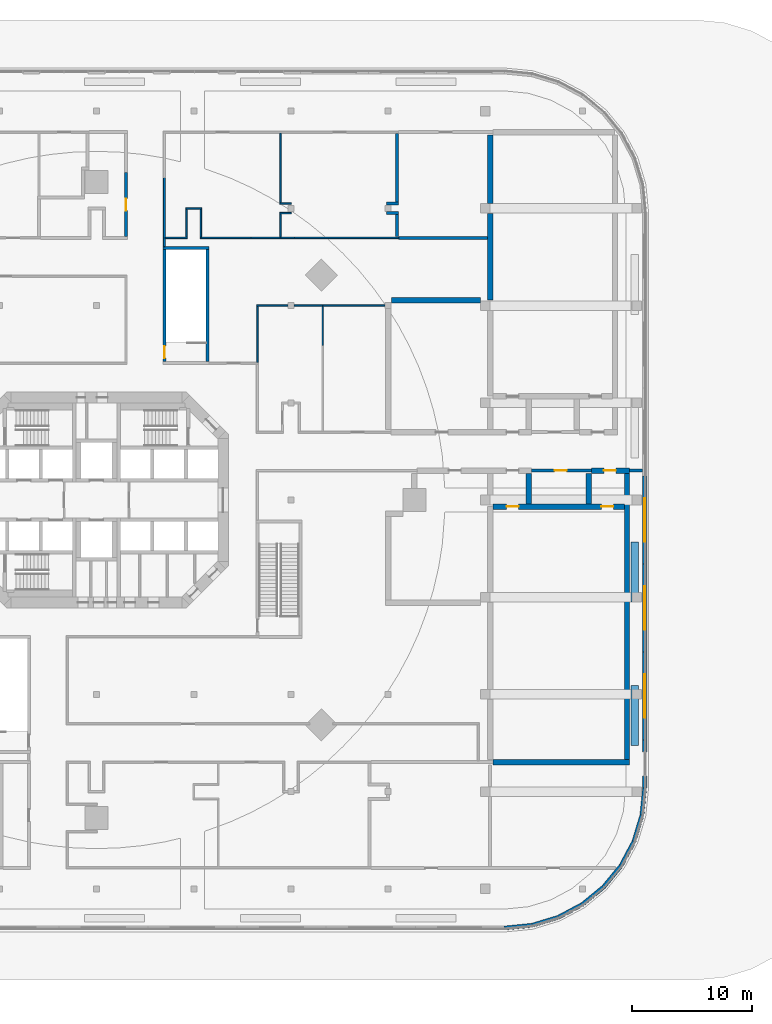
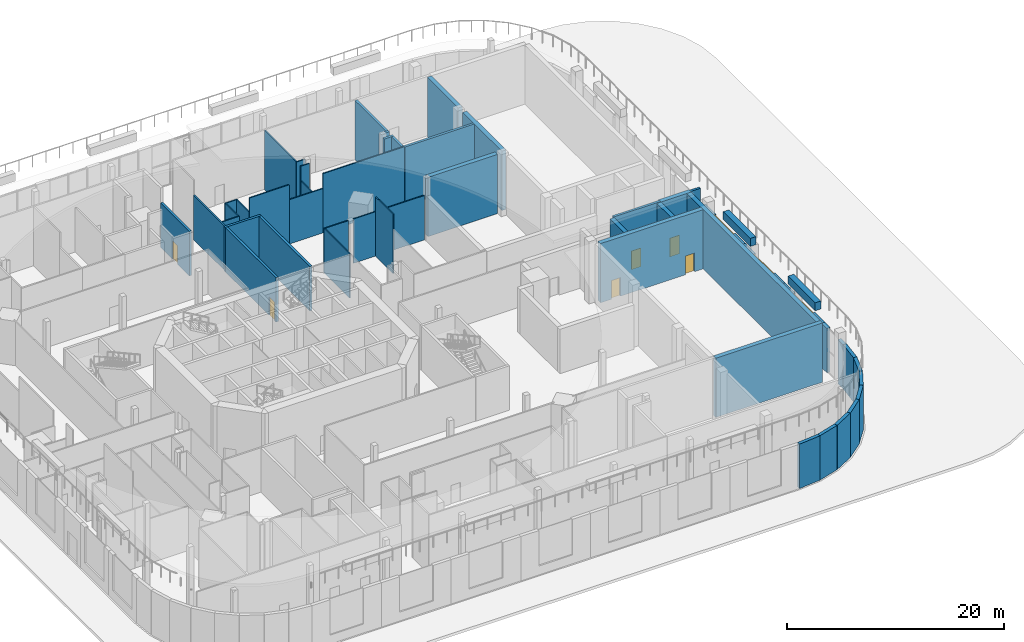
# One storey, part 12 of 17: 51 walls, 6 doors, 3 windows, 9 openings.
"""IFC4 building model written with IfcOpenShell, lengths in metres."""

from ifc_helpers import new_model, si_unit, direction, frame, frame_2d, origin, place, context, subcontext, project, spatial, rectangle, extrude, material, layer, layer_set, type_object, element, fill, save


model = new_model("IFC4")

# Units and contexts
model_context = context("Model", 3, precision=1e-05, world=origin(), true_north=direction((0.0, 1.0)))
body_context = subcontext(model_context, "Body", "Model", "MODEL_VIEW")
ifc_project = project(units=[si_unit("LENGTHUNIT", "METRE"), si_unit("AREAUNIT", "SQUARE_METRE"), si_unit("VOLUMEUNIT", "CUBIC_METRE"), si_unit("PLANEANGLEUNIT", "RADIAN"), si_unit("MASSUNIT", "GRAM", prefix="KILO")], contexts=[model_context])

# Site, building, storey
site_placement = place(None, origin())
site = spatial("IfcSite", under=ifc_project, at=site_placement, CompositionType="ELEMENT")
building_placement = place(site_placement, origin())
building = spatial("IfcBuilding", under=site, at=building_placement, Name="Torre Triforio", CompositionType="ELEMENT")
storey_placement = place(building_placement, frame((0.0, 0.0, 13.0)))
storey = spatial("IfcBuildingStorey", under=building, at=storey_placement, Name="L02", CompositionType="ELEMENT", Elevation=13.0)

# Walls
ifc_material_1 = material(Name="Plasterboard on metal studs")
ifc_layer_1 = layer(ifc_material_1, 0.14990234375)
ifc_layer_set_1 = layer_set([ifc_layer_1], Name="Plasterboard on metal studs")
wall_type_1 = type_object("IfcWallType", Name="Corridor wall 150 EI 60", PredefinedType="PARTITIONING", material=ifc_layer_set_1)
wall_1_placement = place(storey_placement, frame((5.64990234375, 21.125, 0.0), z_axis=(0.0, 0.0, 1.0), x_axis=(0.0, 1.0, 0.0)))
element("IfcWall", 1, at=wall_1_placement, inside=storey, type_object=wall_type_1, Name="Corridor wall L02 087", PredefinedType="PARTITIONING", context=body_context, shape_type="SweptSolid", body=[
    extrude(rectangle(XDim=5.74072265625, YDim=0.14990234375, at=frame_2d((2.870361328125, 0.0))), origin(), (0.0, 0.0, 1.0), 5.0),
])
ifc_layer_2 = layer(ifc_material_1, 0.1201171875)
ifc_layer_set_2 = layer_set([ifc_layer_2], Name="Plasterboard on metal studs")
wall_type_2 = type_object("IfcWallType", Name="Partition 120", PredefinedType="PARTITIONING", material=ifc_layer_set_2)
wall_2_placement = place(storey_placement, frame((18.85009765625, 12.892578125, 0.0), z_axis=(0.0, 0.0, 1.0), x_axis=(0.0, 1.0, 0.0)))
element("IfcWall", 2, at=wall_2_placement, inside=storey, type_object=wall_type_2, Name="Partition L02 020", PredefinedType="PARTITIONING", context=body_context, shape_type="SweptSolid", body=[
    extrude(rectangle(XDim=3.247314453125, YDim=0.1201171875, at=frame_2d((1.62353515625, 0.0))), origin(), (0.0, 0.0, 1.0), 6.679931640625),
])
for number, where, z_axis, x_axis, name in (
    (3, (15.286376953125, 23.89990234375, 0.0), (0.0, 0.0, 1.0), (1.0, 0.0, 0.0), "Partition L02 041"),
    (4, (15.286376953125, 24.699951171875, 0.0), (0.0, 0.0, 1.0), (1.0, 0.0, 0.0), "Partition L02 042"),
):
    element("IfcWall", number, at=place(storey_placement, frame(where, z_axis=z_axis, x_axis=x_axis)), inside=storey, type_object=wall_type_2, Name=name, PredefinedType="PARTITIONING", context=body_context, shape_type="SweptSolid", body=[
        extrude(rectangle(XDim=0.95361328125, YDim=0.1201171875, at=frame_2d((0.476806640625, 0.0))), origin(), (0.0, 0.0, 1.0), 6.679931640625),
    ])
wall_3_placement = place(storey_placement, frame((15.346435546875, 21.909912109375, 0.0), z_axis=(0.0, 0.0, 1.0), x_axis=(0.0, 1.0, 0.0)))
element("IfcWall", 5, at=wall_3_placement, inside=storey, type_object=wall_type_2, Name="Partition L02 043", PredefinedType="PARTITIONING", context=body_context, shape_type="SweptSolid", body=[
    extrude(rectangle(XDim=1.93017578125, YDim=0.1201171875, at=frame_2d((0.965087890625, 0.0))), origin(), (0.0, 0.0, 1.0), 5.0),
])
wall_4_placement = place(storey_placement, frame((15.346435546875, 24.760009765625, 0.0), z_axis=(0.0, 0.0, 1.0), x_axis=(0.0, 1.0, 0.0)))
element("IfcWall", 6, at=wall_4_placement, inside=storey, type_object=wall_type_2, Name="Partition L02 044", PredefinedType="PARTITIONING", context=body_context, shape_type="SweptSolid", body=[
    extrude(rectangle(XDim=5.81494140625, YDim=0.1201171875, at=frame_2d((2.907470703125, 0.0))), origin(), (0.0, 0.0, 1.0), 6.679931640625),
])
wall_5_placement = place(storey_placement, frame((5.72509765625, 21.85009765625, 0.0), z_axis=(0.0, 0.0, 1.0), x_axis=(1.0, 0.0, 0.0)))
element("IfcWall", 7, at=wall_5_placement, inside=storey, type_object=wall_type_2, Name="Partition L02 046", PredefinedType="PARTITIONING", context=body_context, shape_type="SweptSolid", body=[
    extrude(rectangle(XDim=1.8349609375, YDim=0.1201171875, at=frame_2d((0.91748046875, 0.0))), origin(), (0.0, 0.0, 1.0), 5.0),
])
wall_6_placement = place(storey_placement, frame((8.639892578125, 21.85009765625, 0.0), z_axis=(0.0, 0.0, 1.0), x_axis=(1.0, 0.0, 0.0)))
element("IfcWall", 8, at=wall_6_placement, inside=storey, type_object=wall_type_2, Name="Partition L02 047", PredefinedType="PARTITIONING", context=body_context, shape_type="SweptSolid", body=[
    extrude(rectangle(XDim=4.236328125, YDim=0.1201171875, at=frame_2d((2.1181640625, 0.0))), origin(), (0.0, 0.0, 1.0), 6.679931640625),
])
wall_7_placement = place(storey_placement, frame((12.876220703125, 21.85009765625, 0.0), z_axis=(0.0, 0.0, 1.0), x_axis=(1.0, 0.0, 0.0)))
element("IfcWall", 9, at=wall_7_placement, inside=storey, type_object=wall_type_2, Name="Partition L02 048", PredefinedType="PARTITIONING", context=body_context, shape_type="SweptSolid", body=[
    extrude(rectangle(XDim=3.61376953125, YDim=0.1201171875, at=frame_2d((1.806884765625, 0.0))), origin(), (0.0, 0.0, 1.0), 5.0),
])
wall_8_placement = place(storey_placement, frame((16.489990234375, 21.85009765625, 0.0), z_axis=(0.0, 0.0, 1.0), x_axis=(1.0, 0.0, 0.0)))
element("IfcWall", 10, at=wall_8_placement, inside=storey, type_object=wall_type_2, Name="Partition L02 049", PredefinedType="PARTITIONING", context=body_context, shape_type="SweptSolid", body=[
    extrude(rectangle(XDim=8.677978515625, YDim=0.1201171875, at=frame_2d((4.3388671875, 0.0))), origin(), (0.0, 0.0, 1.0), 6.679931640625),
])
wall_9_placement = place(storey_placement, frame((7.43994140625, 24.280029296875, 0.0), z_axis=(0.0, 0.0, 1.0), x_axis=(1.0, 0.0, 0.0)))
element("IfcWall", 11, at=wall_9_placement, inside=storey, type_object=wall_type_2, Name="Partition L02 050", PredefinedType="PARTITIONING", context=body_context, shape_type="SweptSolid", body=[
    extrude(rectangle(XDim=1.320068359375, YDim=0.1201171875, at=frame_2d((0.66015625, 0.0))), origin(), (0.0, 0.0, 1.0), 5.0),
])
for number, where, z_axis, x_axis, name in (
    (12, (7.5, 21.909912109375, 0.0), (0.0, 0.0, 1.0), (0.0, 1.0, 0.0), "Partition L02 051"),
    (13, (8.699951171875, 21.909912109375, 0.0), (0.0, 0.0, 1.0), (0.0, 1.0, 0.0), "Partition L02 052"),
):
    element("IfcWall", number, at=place(storey_placement, frame(where, z_axis=z_axis, x_axis=x_axis)), inside=storey, type_object=wall_type_2, Name=name, PredefinedType="PARTITIONING", context=body_context, shape_type="SweptSolid", body=[
        extrude(rectangle(XDim=2.31005859375, YDim=0.1201171875, at=frame_2d((1.155029296875, 0.0))), origin(), (0.0, 0.0, 1.0), 5.0),
    ])
wall_10_placement = place(storey_placement, frame((13.340087890625, 16.199951171875, 0.0), z_axis=(0.0, 0.0, 1.0), x_axis=(1.0, 0.0, 0.0)))
element("IfcWall", 14, at=wall_10_placement, inside=storey, type_object=wall_type_2, Name="Partition L02 062", PredefinedType="PARTITIONING", context=body_context, shape_type="SweptSolid", body=[
    extrude(rectangle(XDim=2.599853515625, YDim=0.1201171875, at=frame_2d((1.2998046875, 0.0))), origin(), (0.0, 0.0, 1.0), 5.0),
])
wall_11_placement = place(storey_placement, frame((16.4599609375, 16.199951171875, 0.0), z_axis=(0.0, 0.0, 1.0), x_axis=(1.0, 0.0, 0.0)))
element("IfcWall", 15, at=wall_11_placement, inside=storey, type_object=wall_type_2, Name="Partition L02 063", PredefinedType="PARTITIONING", context=body_context, shape_type="SweptSolid", body=[
    extrude(rectangle(XDim=7.580078125, YDim=0.1201171875, at=frame_2d((3.7900390625, 0.0))), origin(), (0.0, 0.0, 1.0), 5.0),
])
wall_12_placement = place(storey_placement, frame((13.39990234375, 11.47509765625, 0.0), z_axis=(0.0, 0.0, 1.0), x_axis=(0.0, 1.0, 0.0)))
element("IfcWall", 16, at=wall_12_placement, inside=storey, type_object=wall_type_2, Name="Partition L02 064", PredefinedType="PARTITIONING", context=body_context, shape_type="SweptSolid", body=[
    extrude(rectangle(XDim=4.664794921875, YDim=0.1201171875, at=frame_2d((2.33251953125, 0.0))), origin(), (0.0, 0.0, 1.0), 5.0),
])

# Wall, opening, door
ifc_material_2 = material(Name="Masonry block", Category="masonry")
ifc_layer_3 = layer(ifc_material_2, 0.25)
ifc_layer_set_3 = layer_set([ifc_layer_3], Name="Masonry block")
wall_type_3 = type_object("IfcWallType", Name="Plant room wall 250 EI 120", PredefinedType="PARTITIONING", material=ifc_layer_set_3)
wall_13_placement = place(storey_placement, frame((36.22509765625, 2.449951171875, 0.0), z_axis=(0.0, 0.0, 1.0), x_axis=(1.0, 0.0, 0.0)))
wall_13 = element("IfcWall", 17, at=wall_13_placement, inside=storey, type_object=wall_type_3, Name="Plant room wall L02 004", PredefinedType="PARTITIONING", context=body_context, shape_type="SweptSolid", body=[
    extrude(rectangle(XDim=5.0, YDim=0.25, at=frame_2d((2.5, 0.0))), origin(), (0.0, 0.0, 1.0), 6.679931640625),
])
opening_1_placement = place(wall_13_placement, frame((1.949951171875, 0.0, 0.0)))
opening_1 = element("IfcOpeningElement", 18, at=opening_1_placement, cuts=wall_13, Name="Opening P2-14", PredefinedType="OPENING", context=body_context, shape_type="SweptSolid", body=[
    extrude(rectangle(XDim=1.0, YDim=2.10009765625, at=frame_2d((0.5, 1.050048828125))), frame((0.0, 0.135009765625, 0.0), z_axis=(0.0, -1.0, 0.0), x_axis=(1.0, 0.0, 0.0)), (0.0, 0.0, 1.0), 0.27001953125),
])
ifc_material_3 = material(Name="Hollow metal fire door leaf")
door_type_1 = type_object("IfcDoorType", Name="Fire door 1000 x 2100 EI 60", OperationType="NOTDEFINED", PredefinedType="DOOR", material=ifc_material_3)
door_1_placement = place(opening_1_placement, origin())
door_1 = element("IfcDoor", 19, at=door_1_placement, inside=storey, type_object=door_type_1, Name="Door P2-14", OperationType="SINGLE_SWING_LEFT", OverallHeight=2.10009765625, OverallWidth=1.0, PredefinedType="DOOR", context=body_context, shape_type="SweptSolid", body=[
    extrude(rectangle(XDim=1.0, YDim=2.10009765625, at=frame_2d((0.5, 1.050048828125))), frame((0.0, 0.02490234375, 0.0), z_axis=(0.0, -1.0, 0.0), x_axis=(1.0, 0.0, 0.0)), (0.0, 0.0, 1.0), 0.050048828125),
])
fill(opening_1, door_1)

# Walls
wall_14_placement = place(storey_placement, frame((44.425048828125, 2.449951171875, 0.0), z_axis=(0.0, 0.0, 1.0), x_axis=(1.0, 0.0, 0.0)))
element("IfcWall", 20, at=wall_14_placement, inside=storey, type_object=wall_type_3, Name="Plant room wall L02 039", PredefinedType="PARTITIONING", context=body_context, shape_type="SweptSolid", body=[
    extrude(rectangle(XDim=1.074951171875, YDim=0.25, at=frame_2d((0.53759765625, 0.0))), origin(), (0.0, 0.0, 1.0), 6.679931640625),
])
for number, where, z_axis, x_axis, name in (
    (21, (24.175048828125, 23.89990234375, 0.0), (0.0, 0.0, 1.0), (1.0, 0.0, 0.0), "Plant room wall L02 053"),
    (22, (24.175048828125, 24.699951171875, 0.0), (0.0, 0.0, 1.0), (1.0, 0.0, 0.0), "Plant room wall L02 054"),
):
    element("IfcWall", number, at=place(storey_placement, frame(where, z_axis=z_axis, x_axis=x_axis)), inside=storey, type_object=wall_type_3, Name=name, PredefinedType="PARTITIONING", context=body_context, shape_type="SweptSolid", body=[
        extrude(rectangle(XDim=0.992919921875, YDim=0.25, at=frame_2d((0.49658203125, 0.0))), origin(), (0.0, 0.0, 1.0), 6.679931640625),
    ])
wall_15_placement = place(storey_placement, frame((25.04296875, 21.97509765625, 0.0), z_axis=(0.0, 0.0, 1.0), x_axis=(0.0, 1.0, 0.0)))
element("IfcWall", 23, at=wall_15_placement, inside=storey, type_object=wall_type_3, Name="Plant room wall L02 055", PredefinedType="PARTITIONING", context=body_context, shape_type="SweptSolid", body=[
    extrude(rectangle(XDim=1.7998046875, YDim=0.25, at=frame_2d((0.89990234375, 0.0))), origin(), (0.0, 0.0, 1.0), 6.679931640625),
])
wall_16_placement = place(storey_placement, frame((25.04296875, 24.824951171875, 0.0), z_axis=(0.0, 0.0, 1.0), x_axis=(0.0, 1.0, 0.0)))
element("IfcWall", 24, at=wall_16_placement, inside=storey, type_object=wall_type_3, Name="Plant room wall L02 056", PredefinedType="PARTITIONING", context=body_context, shape_type="SweptSolid", body=[
    extrude(rectangle(XDim=5.699951171875, YDim=0.25, at=frame_2d((2.85009765625, 0.0))), origin(), (0.0, 0.0, 1.0), 6.679931640625),
])
wall_17_placement = place(storey_placement, frame((25.16796875, 21.85009765625, 0.0), z_axis=(0.0, 0.0, 1.0), x_axis=(1.0, 0.0, 0.0)))
element("IfcWall", 25, at=wall_17_placement, inside=storey, type_object=wall_type_3, Name="Plant room wall L02 089", PredefinedType="PARTITIONING", context=body_context, shape_type="SweptSolid", body=[
    extrude(rectangle(XDim=7.406982421875, YDim=0.25, at=frame_2d((3.70361328125, 0.0))), origin(), (0.0, 0.0, 1.0), 6.679931640625),
])

# Wall, opening, door
wall_18_placement = place(storey_placement, frame((2.449951171875, 21.97509765625, 0.0), z_axis=(0.0, 0.0, 1.0), x_axis=(0.0, 1.0, 0.0)))
wall_18 = element("IfcWall", 26, at=wall_18_placement, inside=storey, type_object=wall_type_3, Name="Plant room wall L02 095", PredefinedType="PARTITIONING", context=body_context, shape_type="SweptSolid", body=[
    extrude(rectangle(XDim=5.311767578125, YDim=0.25, at=frame_2d((2.65576171875, 0.0))), origin(), (0.0, 0.0, 1.0), 5.0),
])
opening_2_placement = place(wall_18_placement, frame((2.14990234375, 0.0, 0.0)))
opening_2 = element("IfcOpeningElement", 27, at=opening_2_placement, cuts=wall_18, Name="Opening P2-35", PredefinedType="OPENING", context=body_context, shape_type="SweptSolid", body=[
    extrude(rectangle(XDim=1.0, YDim=2.10009765625, at=frame_2d((0.5, 1.050048828125))), frame((0.0, 0.135009765625, 0.0), z_axis=(0.0, -1.0, 0.0), x_axis=(1.0, 0.0, 0.0)), (0.0, 0.0, 1.0), 0.27001953125),
])
door_2_placement = place(opening_2_placement, origin())
door_2 = element("IfcDoor", 28, at=door_2_placement, inside=storey, type_object=door_type_1, Name="Door P2-35", OperationType="SINGLE_SWING_LEFT", OverallHeight=2.10009765625, OverallWidth=1.0, PredefinedType="DOOR", context=body_context, shape_type="SweptSolid", body=[
    extrude(rectangle(XDim=1.0, YDim=2.10009765625, at=frame_2d((0.5, 1.050048828125))), frame((0.0, 0.02490234375, 0.0), z_axis=(0.0, -1.0, 0.0), x_axis=(1.0, 0.0, 0.0)), (0.0, 0.0, 1.0), 0.050048828125),
])
fill(opening_2, door_2)

# Walls
ifc_material_4 = material(Name="Concrete C40", Category="concrete")
ifc_layer_4 = layer(ifc_material_4, 0.25)
ifc_layer_set_4 = layer_set([ifc_layer_4], Name="Concrete C40")
wall_type_4 = type_object("IfcWallType", Name="Stair enclosure wall 250 EI 120", PredefinedType="STANDARD", material=ifc_layer_set_4)
wall_19_placement = place(storey_placement, frame((5.52490234375, 21.0, 0.0), z_axis=(0.0, 0.0, 1.0), x_axis=(1.0, 0.0, 0.0)))
element("IfcWall", 29, at=wall_19_placement, inside=storey, type_object=wall_type_4, Name="Stair enclosure wall L02 090", PredefinedType="STANDARD", context=body_context, shape_type="SweptSolid", body=[
    extrude(rectangle(XDim=3.85009765625, YDim=0.25, at=frame_2d((1.925048828125, 0.0))), origin(), (0.0, 0.0, 1.0), 5.0),
])
wall_20_placement = place(storey_placement, frame((9.25, 11.52490234375, 0.0), z_axis=(0.0, 0.0, 1.0), x_axis=(0.0, 1.0, 0.0)))
element("IfcWall", 30, at=wall_20_placement, inside=storey, type_object=wall_type_4, Name="Stair enclosure wall L02 091", PredefinedType="STANDARD", context=body_context, shape_type="SweptSolid", body=[
    extrude(rectangle(XDim=9.35009765625, YDim=0.25, at=frame_2d((4.675048828125, 0.0))), origin(), (0.0, 0.0, 1.0), 5.0),
])

# Wall, opening, door
wall_21_placement = place(storey_placement, frame((5.64990234375, 11.52490234375, 0.0), z_axis=(0.0, 0.0, 1.0), x_axis=(0.0, 1.0, 0.0)))
wall_21 = element("IfcWall", 31, at=wall_21_placement, inside=storey, type_object=wall_type_4, Name="Stair enclosure wall L02 094", PredefinedType="STANDARD", context=body_context, shape_type="SweptSolid", body=[
    extrude(rectangle(XDim=9.35009765625, YDim=0.25, at=frame_2d((4.675048828125, 0.0))), origin(), (0.0, 0.0, 1.0), 5.0),
])
opening_3_placement = place(wall_21_placement, frame((0.300048828125, 0.0, 0.0)))
opening_3 = element("IfcOpeningElement", 32, at=opening_3_placement, cuts=wall_21, Name="Opening P2-04", PredefinedType="OPENING", context=body_context, shape_type="SweptSolid", body=[
    extrude(rectangle(XDim=1.0, YDim=2.10009765625, at=frame_2d((0.5, 1.050048828125))), frame((0.0, 0.135009765625, 0.0), z_axis=(0.0, -1.0, 0.0), x_axis=(1.0, 0.0, 0.0)), (0.0, 0.0, 1.0), 0.27001953125),
])
door_type_2 = type_object("IfcDoorType", Name="Stair door 1000 x 2100 EI 90", OperationType="NOTDEFINED", PredefinedType="DOOR", material=ifc_material_3)
door_3_placement = place(opening_3_placement, origin())
door_3 = element("IfcDoor", 33, at=door_3_placement, inside=storey, type_object=door_type_2, Name="Door P2-04", OperationType="SINGLE_SWING_LEFT", OverallHeight=2.10009765625, OverallWidth=1.0, PredefinedType="DOOR", context=body_context, shape_type="SweptSolid", body=[
    extrude(rectangle(XDim=1.0, YDim=2.10009765625, at=frame_2d((0.5, 1.050048828125))), frame((0.0, 0.02490234375, 0.0), z_axis=(0.0, -1.0, 0.0), x_axis=(1.0, 0.0, 0.0)), (0.0, 0.0, 1.0), 0.050048828125),
])
fill(opening_3, door_3)

# Walls
ifc_material_5 = material(Name="Limestone cladding", Category="masonry")
ifc_layer_5 = layer(ifc_material_5, 0.10009765625)
ifc_layer_6 = layer(ifc_material_4, 0.25)
ifc_layer_set_5 = layer_set([ifc_layer_5, ifc_layer_6], Name="Limestone cladding / Concrete C40")
wall_type_5 = type_object("IfcWallType", Name="Stone-clad podium wall 350", PredefinedType="STANDARD", material=ifc_layer_set_5)
wall_22_placement = place(storey_placement, frame((33.98388671875, -35.675048828125, 0.0), z_axis=(0.0, 0.0, 1.0), x_axis=(0.995187085002, 0.097993192849, 0.0)))
element("IfcWall", 34, at=wall_22_placement, inside=storey, type_object=wall_type_5, Name="External wall L02 e00.0.w0", PredefinedType="STANDARD", context=body_context, shape_type="SweptSolid", body=[
    extrude(rectangle(XDim=2.304443359375, YDim=0.35009765625, at=frame_2d((1.15234375, 0.0))), origin(), (0.0, 0.0, 1.0), 5.0),
])
wall_23_placement = place(storey_placement, frame((36.27734375, -35.44921875, 0.0), z_axis=(0.0, 0.0, 1.0), x_axis=(0.956940921075, 0.29028274763, 0.0)))
element("IfcWall", 35, at=wall_23_placement, inside=storey, type_object=wall_type_5, Name="External wall L02 e01.0.w0", PredefinedType="STANDARD", context=body_context, shape_type="SweptSolid", body=[
    extrude(rectangle(XDim=2.28857421875, YDim=0.35009765625, at=frame_2d((1.144287109375, 0.0))), origin(), (0.0, 0.0, 1.0), 5.0),
])
for number, where, z_axis, x_axis, name in (
    (36, (38.46728515625, -34.784912109375, 0.0), (0.0, 0.0, 1.0), (0.881888841544, 0.47145739061, 0.0), "External wall L02 e02.0.w0"),
    (37, (40.4853515625, -33.7060546875, 0.0), (0.0, 0.0, 1.0), (0.773043858187, 0.634352578082, 0.0), "External wall L02 e03.0.w0"),
    (38, (42.25439453125, -32.25439453125, 0.0), (0.0, 0.0, 1.0), (0.634352578082, 0.773043858187, 0.0), "External wall L02 e04.0.w0"),
    (39, (43.7060546875, -30.4853515625, 0.0), (0.0, 0.0, 1.0), (0.47145739061, 0.881888841544, 0.0), "External wall L02 e05.0.w0"),
):
    element("IfcWall", number, at=place(storey_placement, frame(where, z_axis=z_axis, x_axis=x_axis)), inside=storey, type_object=wall_type_5, Name=name, PredefinedType="STANDARD", context=body_context, shape_type="SweptSolid", body=[
        extrude(rectangle(XDim=2.288330078125, YDim=0.35009765625, at=frame_2d((1.14404296875, 0.0))), origin(), (0.0, 0.0, 1.0), 5.0),
    ])
wall_24_placement = place(storey_placement, frame((44.784912109375, -28.46728515625, 0.0), z_axis=(0.0, 0.0, 1.0), x_axis=(0.29028274763, 0.956940921075, 0.0)))
element("IfcWall", 40, at=wall_24_placement, inside=storey, type_object=wall_type_5, Name="External wall L02 e06.0.w0", PredefinedType="STANDARD", context=body_context, shape_type="SweptSolid", body=[
    extrude(rectangle(XDim=2.28857421875, YDim=0.35009765625, at=frame_2d((1.144287109375, 0.0))), origin(), (0.0, 0.0, 1.0), 5.0),
])
wall_25_placement = place(storey_placement, frame((45.44921875, -26.27734375, 0.0), z_axis=(0.0, 0.0, 1.0), x_axis=(0.097993192849, 0.995187085002, 0.0)))
element("IfcWall", 41, at=wall_25_placement, inside=storey, type_object=wall_type_5, Name="External wall L02 e07.0.w0", PredefinedType="STANDARD", context=body_context, shape_type="SweptSolid", body=[
    extrude(rectangle(XDim=2.304443359375, YDim=0.35009765625, at=frame_2d((1.15234375, 0.0))), origin(), (0.0, 0.0, 1.0), 5.0),
])
for number, where, z_axis, x_axis, name in (
    (42, (45.675048828125, -23.98388671875, 0.0), (0.0, 0.0, 1.0), (0.0, 1.0, 0.0), "External wall L02 e08.0.0.g0"),
    (43, (45.675048828125, -20.9794921875, 0.0), (0.0, 0.0, 1.0), (0.0, 1.0, 0.0), "External wall L02 e08.0.0.g1"),
):
    element("IfcWall", number, at=place(storey_placement, frame(where, z_axis=z_axis, x_axis=x_axis)), inside=storey, type_object=wall_type_5, Name=name, PredefinedType="STANDARD", context=body_context, shape_type="SweptSolid", body=[
        extrude(rectangle(XDim=0.9794921875, YDim=0.35009765625, at=frame_2d((0.48974609375, 0.0))), origin(), (0.0, 0.0, 1.0), 5.0),
    ])

# Wall, opening, window
wall_26_placement = place(storey_placement, frame((45.675048828125, -20.0, 0.0), z_axis=(0.0, 0.0, 1.0), x_axis=(0.0, 1.0, 0.0)))
wall_26 = element("IfcWall", 44, at=wall_26_placement, inside=storey, type_object=wall_type_5, Name="External wall L02 e08.0.1.w0", PredefinedType="STANDARD", context=body_context, shape_type="SweptSolid", body=[
    extrude(rectangle(XDim=7.330810546875, YDim=0.35009765625, at=frame_2d((3.66552734375, 0.0))), origin(), (0.0, 0.0, 1.0), 5.0),
])
opening_4_placement = place(wall_26_placement, frame((1.865234375, 0.0, 1.0)))
opening_4 = element("IfcOpeningElement", 45, at=opening_4_placement, cuts=wall_26, Name="Opening P2-W01", PredefinedType="OPENING", context=body_context, shape_type="SweptSolid", body=[
    extrude(rectangle(XDim=3.60009765625, YDim=4.0, at=frame_2d((1.800048828125, 2.0))), frame((0.0, 0.18505859375, 0.0), z_axis=(0.0, -1.0, 0.0), x_axis=(1.0, 0.0, 0.0)), (0.0, 0.0, 1.0), 0.3701171875),
])
ifc_material_6 = material(Name="Aluminium frame with clear double glazing", Category="aluminium")
window_type = type_object("IfcWindowType", Name="Podium window 3600 x 4000", PartitioningType="DOUBLE_PANEL_VERTICAL", PredefinedType="WINDOW", material=ifc_material_6)
window_1_placement = place(opening_4_placement, origin())
window_1 = element("IfcWindow", 46, at=window_1_placement, inside=storey, type_object=window_type, Name="Window L02 e08.0.1.w0", OverallHeight=4.0, OverallWidth=3.60009765625, PartitioningType="SINGLE_PANEL", PredefinedType="WINDOW", context=body_context, shape_type="SweptSolid", body=[
    extrude(rectangle(XDim=3.60009765625, YDim=4.0, at=frame_2d((1.800048828125, 2.0))), frame((0.0, 0.030029296875, 0.0), z_axis=(0.0, -1.0, 0.0), x_axis=(1.0, 0.0, 0.0)), (0.0, 0.0, 1.0), 0.06005859375),
])
fill(opening_4, window_1)

wall_27_placement = place(storey_placement, frame((45.675048828125, -12.669189453125, 0.0), z_axis=(0.0, 0.0, 1.0), x_axis=(0.0, 1.0, 0.0)))
wall_27 = element("IfcWall", 47, at=wall_27_placement, inside=storey, type_object=wall_type_5, Name="External wall L02 e08.0.1.w1", PredefinedType="STANDARD", context=body_context, shape_type="SweptSolid", body=[
    extrude(rectangle(XDim=7.33056640625, YDim=0.35009765625, at=frame_2d((3.665283203125, 0.0))), origin(), (0.0, 0.0, 1.0), 5.0),
])
opening_5_placement = place(wall_27_placement, frame((1.865234375, 0.0, 1.0)))
opening_5 = element("IfcOpeningElement", 48, at=opening_5_placement, cuts=wall_27, Name="Opening P2-W02", PredefinedType="OPENING", context=body_context, shape_type="SweptSolid", body=[
    extrude(rectangle(XDim=3.60009765625, YDim=4.0, at=frame_2d((1.800048828125, 2.0))), frame((0.0, 0.18505859375, 0.0), z_axis=(0.0, -1.0, 0.0), x_axis=(1.0, 0.0, 0.0)), (0.0, 0.0, 1.0), 0.3701171875),
])
window_2_placement = place(opening_5_placement, origin())
window_2 = element("IfcWindow", 49, at=window_2_placement, inside=storey, type_object=window_type, Name="Window L02 e08.0.1.w1", OverallHeight=4.0, OverallWidth=3.60009765625, PartitioningType="SINGLE_PANEL", PredefinedType="WINDOW", context=body_context, shape_type="SweptSolid", body=[
    extrude(rectangle(XDim=3.60009765625, YDim=4.0, at=frame_2d((1.800048828125, 2.0))), frame((0.0, 0.030029296875, 0.0), z_axis=(0.0, -1.0, 0.0), x_axis=(1.0, 0.0, 0.0)), (0.0, 0.0, 1.0), 0.06005859375),
])
fill(opening_5, window_2)

wall_28_placement = place(storey_placement, frame((45.675048828125, -5.338623046875, 0.0), z_axis=(0.0, 0.0, 1.0), x_axis=(0.0, 1.0, 0.0)))
wall_28 = element("IfcWall", 50, at=wall_28_placement, inside=storey, type_object=wall_type_5, Name="External wall L02 e08.0.1.w2", PredefinedType="STANDARD", context=body_context, shape_type="SweptSolid", body=[
    extrude(rectangle(XDim=7.33056640625, YDim=0.35009765625, at=frame_2d((3.665283203125, 0.0))), origin(), (0.0, 0.0, 1.0), 5.0),
])
opening_6_placement = place(wall_28_placement, frame((1.865234375, 0.0, 1.0)))
opening_6 = element("IfcOpeningElement", 51, at=opening_6_placement, cuts=wall_28, Name="Opening P2-W03", PredefinedType="OPENING", context=body_context, shape_type="SweptSolid", body=[
    extrude(rectangle(XDim=3.60009765625, YDim=4.0, at=frame_2d((1.800048828125, 2.0))), frame((0.0, 0.18505859375, 0.0), z_axis=(0.0, -1.0, 0.0), x_axis=(1.0, 0.0, 0.0)), (0.0, 0.0, 1.0), 0.3701171875),
])
window_3_placement = place(opening_6_placement, origin())
window_3 = element("IfcWindow", 52, at=window_3_placement, inside=storey, type_object=window_type, Name="Window L02 e08.0.1.w2", OverallHeight=4.0, OverallWidth=3.60009765625, PartitioningType="SINGLE_PANEL", PredefinedType="WINDOW", context=body_context, shape_type="SweptSolid", body=[
    extrude(rectangle(XDim=3.60009765625, YDim=4.0, at=frame_2d((1.800048828125, 2.0))), frame((0.0, 0.030029296875, 0.0), z_axis=(0.0, -1.0, 0.0), x_axis=(1.0, 0.0, 0.0)), (0.0, 0.0, 1.0), 0.06005859375),
])
fill(opening_6, window_3)

# Walls
ifc_material_7 = material(Name="Double leaf masonry acoustic wall", Category="masonry")
ifc_layer_7 = layer(ifc_material_7, 0.449951171875)
ifc_layer_set_6 = layer_set([ifc_layer_7], Name="Double leaf masonry acoustic wall")
wall_type_6 = type_object("IfcWallType", Name="Studio sound wall 450 EI 60", PredefinedType="PARTITIONING", material=ifc_layer_set_6)
for number, where, z_axis, x_axis, name in (
    (53, (36.0, -0.324951171875, 0.0), (0.0, 0.0, 1.0), (0.0, 1.0, 0.0), "Studio sound wall L02 005"),
    (54, (41.0, -0.324951171875, 0.0), (0.0, 0.0, 1.0), (0.0, 1.0, 0.0), "Studio sound wall L02 006"),
):
    element("IfcWall", number, at=place(storey_placement, frame(where, z_axis=z_axis, x_axis=x_axis)), inside=storey, type_object=wall_type_6, Name=name, PredefinedType="PARTITIONING", context=body_context, shape_type="SweptSolid", body=[
        extrude(rectangle(XDim=2.550048828125, YDim=0.449951171875, at=frame_2d((1.27490234375, 0.0))), origin(), (0.0, 0.0, 1.0), 6.679931640625),
    ])
wall_29_placement = place(storey_placement, frame((24.56005859375, 16.64990234375, 0.0), z_axis=(0.0, 0.0, 1.0), x_axis=(1.0, 0.0, 0.0)))
element("IfcWall", 55, at=wall_29_placement, inside=storey, type_object=wall_type_6, Name="Studio sound wall L02 010", PredefinedType="PARTITIONING", context=body_context, shape_type="SweptSolid", body=[
    extrude(rectangle(XDim=7.429931640625, YDim=0.449951171875, at=frame_2d((3.71484375, 0.0))), origin(), (0.0, 0.0, 1.0), 6.679931640625),
])

# Wall, opening, door
wall_30_placement = place(storey_placement, frame((41.22509765625, 2.449951171875, 0.0), z_axis=(0.0, 0.0, 1.0), x_axis=(1.0, 0.0, 0.0)))
wall_30 = element("IfcWall", 56, at=wall_30_placement, inside=storey, type_object=wall_type_6, Name="Studio sound wall L02 032", PredefinedType="PARTITIONING", context=body_context, shape_type="SweptSolid", body=[
    extrude(rectangle(XDim=3.199951171875, YDim=0.449951171875, at=frame_2d((1.60009765625, 0.0))), origin(), (0.0, 0.0, 1.0), 6.679931640625),
])
opening_7_placement = place(wall_30_placement, frame((1.050048828125, 0.0, 0.0)))
opening_7 = element("IfcOpeningElement", 57, at=opening_7_placement, cuts=wall_30, Name="Opening P2-11", PredefinedType="OPENING", context=body_context, shape_type="SweptSolid", body=[
    extrude(rectangle(XDim=1.0, YDim=2.10009765625, at=frame_2d((0.5, 1.050048828125))), frame((0.0, 0.23486328125, 0.0), z_axis=(0.0, -1.0, 0.0), x_axis=(1.0, 0.0, 0.0)), (0.0, 0.0, 1.0), 0.469970703125),
])
ifc_material_8 = material(Name="Acoustic timber door leaf", Category="wood")
door_type_3 = type_object("IfcDoorType", Name="Acoustic door 1000 x 2100 EI 60", OperationType="NOTDEFINED", PredefinedType="DOOR", material=ifc_material_8)
door_4_placement = place(opening_7_placement, origin())
door_4 = element("IfcDoor", 58, at=door_4_placement, inside=storey, type_object=door_type_3, Name="Door P2-11", OperationType="SINGLE_SWING_LEFT", OverallHeight=2.10009765625, OverallWidth=1.0, PredefinedType="DOOR", context=body_context, shape_type="SweptSolid", body=[
    extrude(rectangle(XDim=1.0, YDim=2.10009765625, at=frame_2d((0.5, 1.050048828125))), frame((0.0, 0.02490234375, 0.0), z_axis=(0.0, -1.0, 0.0), x_axis=(1.0, 0.0, 0.0)), (0.0, 0.0, 1.0), 0.050048828125),
])
fill(opening_7, door_4)

# Wall, openings, doors
wall_31_placement = place(storey_placement, frame((33.02490234375, -0.550048828125, 0.0), z_axis=(0.0, 0.0, 1.0), x_axis=(1.0, 0.0, 0.0)))
wall_31 = element("IfcWall", 59, at=wall_31_placement, inside=storey, type_object=wall_type_6, Name="Studio sound wall L02 061", PredefinedType="PARTITIONING", context=body_context, shape_type="SweptSolid", body=[
    extrude(rectangle(XDim=10.9501953125, YDim=0.449951171875, at=frame_2d((5.47509765625, 0.0))), origin(), (0.0, 0.0, 1.0), 6.679931640625),
])
opening_8_placement = place(wall_31_placement, frame((1.14990234375, 0.0, 0.0)))
opening_8 = element("IfcOpeningElement", 60, at=opening_8_placement, cuts=wall_31, Name="Opening P2-10", PredefinedType="OPENING", context=body_context, shape_type="SweptSolid", body=[
    extrude(rectangle(XDim=1.0, YDim=2.10009765625, at=frame_2d((0.5, 1.050048828125))), frame((0.0, 0.23486328125, 0.0), z_axis=(0.0, -1.0, 0.0), x_axis=(1.0, 0.0, 0.0)), (0.0, 0.0, 1.0), 0.469970703125),
])
opening_9_placement = place(wall_31_placement, frame((9.050048828125, 0.0, 0.0)))
opening_9 = element("IfcOpeningElement", 61, at=opening_9_placement, cuts=wall_31, Name="Opening P2-12", PredefinedType="OPENING", context=body_context, shape_type="SweptSolid", body=[
    extrude(rectangle(XDim=1.0, YDim=2.10009765625, at=frame_2d((0.5, 1.050048828125))), frame((0.0, 0.23486328125, 0.0), z_axis=(0.0, -1.0, 0.0), x_axis=(1.0, 0.0, 0.0)), (0.0, 0.0, 1.0), 0.469970703125),
])
door_5_placement = place(opening_8_placement, origin())
door_5 = element("IfcDoor", 62, at=door_5_placement, inside=storey, type_object=door_type_3, Name="Door P2-10", OperationType="SINGLE_SWING_LEFT", OverallHeight=2.10009765625, OverallWidth=1.0, PredefinedType="DOOR", context=body_context, shape_type="SweptSolid", body=[
    extrude(rectangle(XDim=1.0, YDim=2.10009765625, at=frame_2d((0.5, 1.050048828125))), frame((0.0, 0.02490234375, 0.0), z_axis=(0.0, -1.0, 0.0), x_axis=(1.0, 0.0, 0.0)), (0.0, 0.0, 1.0), 0.050048828125),
])
fill(opening_8, door_5)
door_6_placement = place(opening_9_placement, origin())
door_6 = element("IfcDoor", 63, at=door_6_placement, inside=storey, type_object=door_type_3, Name="Door P2-12", OperationType="SINGLE_SWING_LEFT", OverallHeight=2.10009765625, OverallWidth=1.0, PredefinedType="DOOR", context=body_context, shape_type="SweptSolid", body=[
    extrude(rectangle(XDim=1.0, YDim=2.10009765625, at=frame_2d((0.5, 1.050048828125))), frame((0.0, 0.02490234375, 0.0), z_axis=(0.0, -1.0, 0.0), x_axis=(1.0, 0.0, 0.0)), (0.0, 0.0, 1.0), 0.050048828125),
])
fill(opening_9, door_6)

# Walls
wall_32_placement = place(storey_placement, frame((32.800048828125, 16.64990234375, 0.0), z_axis=(0.0, 0.0, 1.0), x_axis=(0.0, 1.0, 0.0)))
element("IfcWall", 64, at=wall_32_placement, inside=storey, type_object=wall_type_6, Name="Studio sound wall L02 093", PredefinedType="PARTITIONING", context=body_context, shape_type="SweptSolid", body=[
    extrude(rectangle(XDim=7.239990234375, YDim=0.449951171875, at=frame_2d((3.6201171875, 0.0))), origin(), (0.0, 0.0, 1.0), 6.679931640625),
])
wall_33_placement = place(storey_placement, frame((32.800048828125, 24.7099609375, 0.0), z_axis=(0.0, 0.0, 1.0), x_axis=(0.0, 1.0, 0.0)))
element("IfcWall", 65, at=wall_33_placement, inside=storey, type_object=wall_type_6, Name="Studio sound wall L02 127", PredefinedType="PARTITIONING", context=body_context, shape_type="SweptSolid", body=[
    extrude(rectangle(XDim=5.715087890625, YDim=0.449951171875, at=frame_2d((2.857421875, 0.0))), origin(), (0.0, 0.0, 1.0), 6.679931640625),
])
wall_34_placement = place(storey_placement, frame((33.02490234375, -21.85009765625, 0.0), z_axis=(0.0, 0.0, 1.0), x_axis=(1.0, 0.0, 0.0)))
element("IfcWall", 66, at=wall_34_placement, inside=storey, type_object=wall_type_6, Name="Studio sound wall L02 151", PredefinedType="PARTITIONING", context=body_context, shape_type="SweptSolid", body=[
    extrude(rectangle(XDim=11.400146484375, YDim=0.449951171875, at=frame_2d((5.7001953125, 0.0))), origin(), (0.0, 0.0, 1.0), 6.679931640625),
])
wall_35_placement = place(storey_placement, frame((44.199951171875, -21.625, 0.0), z_axis=(0.0, 0.0, 1.0), x_axis=(0.0, 1.0, 0.0)))
element("IfcWall", 67, at=wall_35_placement, inside=storey, type_object=wall_type_6, Name="Studio sound wall L02 152", PredefinedType="PARTITIONING", context=body_context, shape_type="SweptSolid", body=[
    extrude(rectangle(XDim=23.85009765625, YDim=0.449951171875, at=frame_2d((11.925048828125, 0.0))), origin(), (0.0, 0.0, 1.0), 6.679931640625),
])
ifc_layer_8 = layer(ifc_material_5, 0.10009765625)
ifc_layer_9 = layer(ifc_material_4, 0.5)
ifc_layer_set_7 = layer_set([ifc_layer_8, ifc_layer_9], Name="Limestone cladding / Concrete C40")
wall_type_7 = type_object("IfcWallType", Name="Terrace planter wall 600", PredefinedType="PARAPET", material=ifc_layer_set_7)
for number, where, z_axis, x_axis, name in (
    (68, (44.85009765625, -20.45751953125, 7.0), (0.0, 0.0, 1.0), (0.0, 1.0, 0.0), "Terrace T3 planter 09.1"),
    (69, (44.85009765625, -8.48583984375, 7.0), (0.0, 0.0, 1.0), (0.0, 1.0, 0.0), "Terrace T3 planter 09.2"),
):
    element("IfcWall", number, at=place(storey_placement, frame(where, z_axis=z_axis, x_axis=x_axis)), inside=storey, type_object=wall_type_7, Name=name, PredefinedType="PARAPET", context=body_context, shape_type="SweptSolid", body=[
        extrude(rectangle(XDim=5.0, YDim=0.60009765625, at=frame_2d((2.5, 0.0))), origin(), (0.0, 0.0, 1.0), 0.89990234375),
    ])

save(model, "model.ifc")
